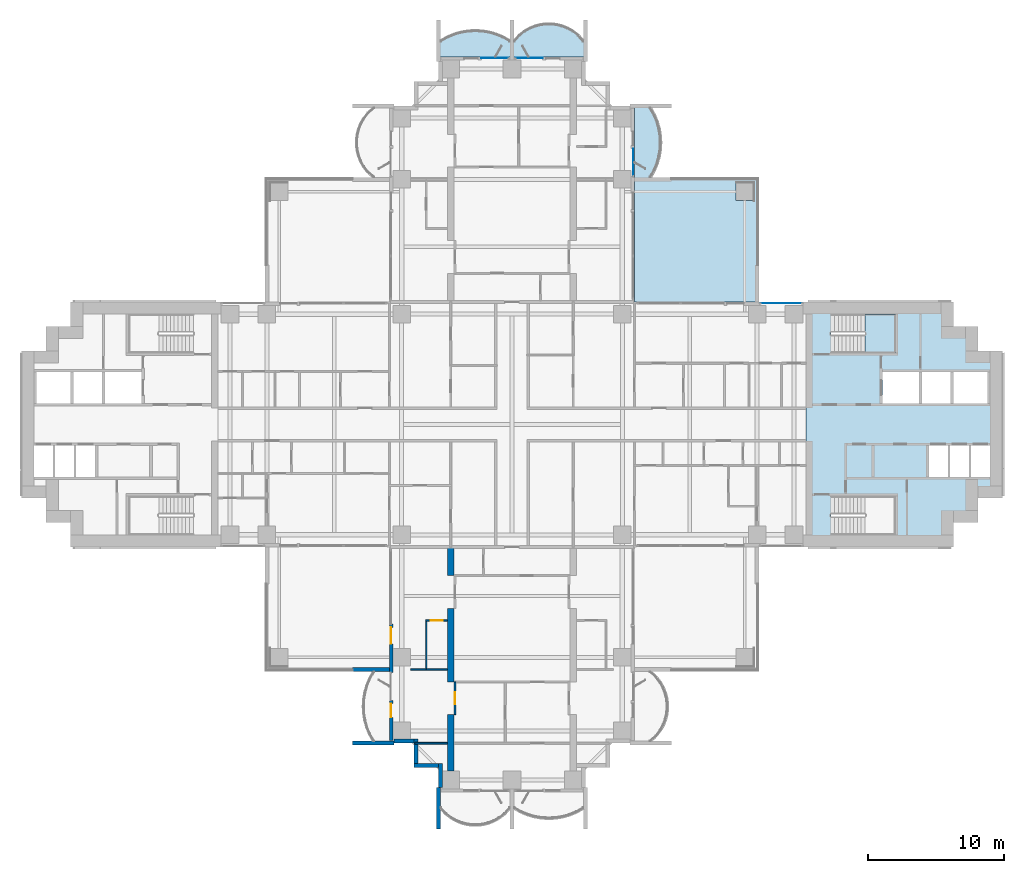
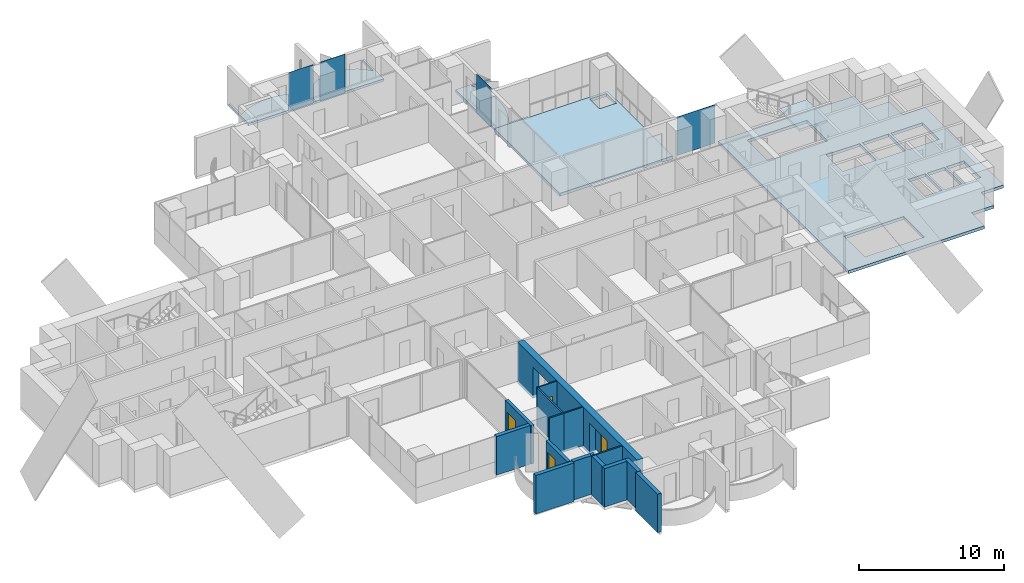
# One storey, part 10 of 23: 16 walls, 6 slabs, 4 doors, 4 plates, 4 openings, 5 elements without a shape of their own.
"""IFC4 building model written with IfcOpenShell, lengths in metres."""

import ifcopenshell
import ifcopenshell.guid

model = None  # the IFC model being written
_history = None  # IfcOwnerHistory: only IFC2X3 demands one
_inside = {}  # id of a spatial element -> (the spatial element, [elements in it])
_under = {}  # id of a project, library or spatial element -> (it, [spatial elements below it])
_declared = {}  # id of a project -> (the project, [libraries it declares])
_typed = {}  # id of a type object -> (the type object, [elements of that type])
_made_of = {}  # id of a material, layer set ... -> (it, [elements and type objects made of it])


def new_model(schema):
    """Start an empty IFC model of exactly this schema.

    Asked for "IFC4X3", IfcOpenShell would pick the latest addendum, in which some entities
    have other attributes; the version numbers below select the first issue.
    IFC2X3 requires an IfcOwnerHistory on every rooted entity: one is made here for all.
    """
    global model, _history
    if schema == "IFC4X3":
        model = ifcopenshell.file(schema_version=(4, 3, 0, 0))
    else:
        model = ifcopenshell.file(schema=schema)
    _inside.clear()
    _under.clear()
    _declared.clear()
    _typed.clear()
    _made_of.clear()
    _history = None
    if model.schema == "IFC2X3":
        org = make("IfcOrganization", Name="unknown")
        user = make(
            "IfcPersonAndOrganization",
            ThePerson=make("IfcPerson", FamilyName="unknown"),
            TheOrganization=org,
        )
        app = make(
            "IfcApplication",
            ApplicationDeveloper=org,
            Version="unknown",
            ApplicationFullName="unknown",
            ApplicationIdentifier="unknown",
        )
        _history = make(
            "IfcOwnerHistory",
            OwningUser=user,
            OwningApplication=app,
            ChangeAction="ADDED",
            CreationDate=0,
        )
    return model


def make(cls, **values):
    """One entity of the class cls with the attributes given. An attribute that is None is left unset."""
    return model.create_entity(
        cls, **{name: value for name, value in values.items() if value is not None}
    )


def rooted(cls, **values):
    """An entity with a GlobalId (a new one), such as an element, a storey or a relation."""
    return make(cls, GlobalId=ifcopenshell.guid.new(), OwnerHistory=_history, **values)


def si_unit(unit_type, name, prefix=None):
    """IfcSIUnit, for example si_unit("LENGTHUNIT", "METRE", prefix="MILLI")."""
    return make("IfcSIUnit", UnitType=unit_type, Prefix=prefix, Name=name)


def assignment(units):
    """IfcUnitAssignment: the units of a project."""
    return None if units is None else make("IfcUnitAssignment", Units=units)


def point(xyz):
    """IfcCartesianPoint."""
    return None if xyz is None else make("IfcCartesianPoint", Coordinates=xyz)


def direction(xyz):
    """IfcDirection."""
    return None if xyz is None else make("IfcDirection", DirectionRatios=xyz)


def frame(location, z_axis=None, x_axis=None):
    """IfcAxis2Placement3D, a coordinate frame: its origin and axes. An axis left out is left unset."""
    return make(
        "IfcAxis2Placement3D",
        Location=point(location),
        Axis=direction(z_axis),
        RefDirection=direction(x_axis),
    )


def frame_2d(location, x_axis=None):
    """IfcAxis2Placement2D, a coordinate frame in the plane: its origin and x axis."""
    return make(
        "IfcAxis2Placement2D", Location=point(location), RefDirection=direction(x_axis)
    )


def origin():
    """The frame at (0, 0, 0) with its axes left unset."""
    return frame((0.0, 0.0, 0.0))


def origin_2d():
    """The frame at (0, 0) in the plane with its x axis left unset."""
    return frame_2d((0.0, 0.0))


def place(relative_to, where):
    """IfcLocalPlacement: puts the frame where relative to a parent placement (None: the world)."""
    return make(
        "IfcLocalPlacement", PlacementRelTo=relative_to, RelativePlacement=where
    )


def context(
    kind, dimensions, precision=None, world=None, true_north=None, identifier=None
):
    """IfcGeometricRepresentationContext, for example the 3D "Model" context."""
    return make(
        "IfcGeometricRepresentationContext",
        ContextIdentifier=identifier,
        ContextType=kind,
        CoordinateSpaceDimension=dimensions,
        Precision=precision,
        WorldCoordinateSystem=world,
        TrueNorth=true_north,
    )


def subcontext(parent, identifier, kind, view, scale=None):
    """IfcGeometricRepresentationSubContext, for example "Body" below "Model"."""
    return make(
        "IfcGeometricRepresentationSubContext",
        ContextIdentifier=identifier,
        ContextType=kind,
        ParentContext=parent,
        TargetScale=scale,
        TargetView=view,
    )


def project(units=None, contexts=None):
    """IfcProject with its units and contexts."""
    return rooted(
        "IfcProject",
        Name="project",
        RepresentationContexts=contexts,
        UnitsInContext=assignment(units),
    )


def spatial(cls, under=None, at=None, **own):
    """A site, building, storey or space (cls), placed at a placement, below another one or the project."""
    s = rooted(cls, ObjectPlacement=at, **own)
    if under is not None:
        _under.setdefault(under.id(), (under, []))[1].append(s)
    return s


def polyline(points):
    """IfcPolyline through the points."""
    return make("IfcPolyline", Points=[point(p) for p in points])


def profile(cls, at=None, kind="AREA", **sizes):
    """A parametric profile (cls). Its sizes go by their IFC names, for example OverallWidth=200.0."""
    return make(cls, ProfileType=kind, Position=at, **sizes)


def rectangle(**sizes):
    """IfcRectangleProfileDef."""
    return profile("IfcRectangleProfileDef", **sizes)


def outline(outer, holes=None, kind="AREA"):
    """IfcArbitraryClosedProfileDef: a profile drawn as a closed curve; with holes, ...WithVoids."""
    if holes is None:
        return make("IfcArbitraryClosedProfileDef", ProfileType=kind, OuterCurve=outer)
    return make(
        "IfcArbitraryProfileDefWithVoids",
        ProfileType=kind,
        OuterCurve=outer,
        InnerCurves=holes,
    )


def extrude(swept, where, along, depth):
    """IfcExtrudedAreaSolid: the profile swept, set in the frame where, extruded along a direction by depth."""
    return make(
        "IfcExtrudedAreaSolid",
        SweptArea=swept,
        Position=where,
        ExtrudedDirection=direction(along),
        Depth=depth,
    )


def shape(context_of_items, identifier, shape_type, items):
    """IfcShapeRepresentation: the items that make up one representation, for example the "Body"."""
    return make(
        "IfcShapeRepresentation",
        ContextOfItems=context_of_items,
        RepresentationIdentifier=identifier,
        RepresentationType=shape_type,
        Items=items,
    )


def material(Name=None, Category=None):
    """IfcMaterial."""
    return make("IfcMaterial", Name=Name, Category=Category)


def layer(
    of_material, thickness, ventilated=None, Name=None, Category=None, Priority=None
):
    """IfcMaterialLayer: one layer of a wall or slab, of a material (None: an air gap)."""
    return make(
        "IfcMaterialLayer",
        Material=of_material,
        LayerThickness=thickness,
        IsVentilated=ventilated,
        Name=Name,
        Category=Category,
        Priority=Priority,
    )


def layer_set(layers, Name=None):
    """IfcMaterialLayerSet."""
    return make("IfcMaterialLayerSet", MaterialLayers=layers, LayerSetName=Name)


def material_profile(
    of_material, cross_section, Name=None, Category=None, Priority=None
):
    """IfcMaterialProfile: a cross section and its material."""
    return make(
        "IfcMaterialProfile",
        Name=Name,
        Material=of_material,
        Profile=cross_section,
        Priority=Priority,
        Category=Category,
    )


def profile_set(profiles, Name=None, composite=None):
    """IfcMaterialProfileSet."""
    return make(
        "IfcMaterialProfileSet",
        Name=Name,
        MaterialProfiles=profiles,
        CompositeProfile=composite,
    )


def made_of(thing, what):
    """Note that an element or type object is made of a material, layer set ...; save() writes the relation."""
    if what is not None:
        _made_of.setdefault(what.id(), (what, []))[1].append(thing)
    return thing


def type_object(cls, material=None, **own):
    """A type object (cls), such as IfcWallType, which elements share."""
    return made_of(rooted(cls, **own), material)


def element(
    cls,
    number,
    at=None,
    inside=None,
    cuts=None,
    type_object=None,
    material=None,
    context=None,
    identifier="Body",
    shape_type=None,
    held_by="IfcProductDefinitionShape",
    body=None,
    shapes=None,
    **own,
):
    """One element of the class cls, such as IfcWall. Its Tag is "e" and its number.

    at: its placement. inside: the storey or other place that contains it. cuts: it is an
    opening in that element (IfcRelVoidsElement). A single representation is given by context,
    identifier, shape_type and body (its items); several are given by shapes. held_by: the class
    of the entity that holds the representations. save() writes the other relations.
    """
    e = rooted(cls, Tag="e%d" % number, ObjectPlacement=at, **own)
    if body is not None:
        shapes = [shape(context, identifier, shape_type, body)]
    if shapes is not None:
        e.Representation = make(held_by, Representations=shapes)
    if inside is not None:
        _inside.setdefault(inside.id(), (inside, []))[1].append(e)
    if cuts is not None:
        rooted(
            "IfcRelVoidsElement", RelatingBuildingElement=cuts, RelatedOpeningElement=e
        )
    if type_object is not None:
        _typed.setdefault(type_object.id(), (type_object, []))[1].append(e)
    return made_of(e, material)


def fill(opening, filler):
    """IfcRelFillsElement: the door or window that sits in an opening."""
    return rooted(
        "IfcRelFillsElement",
        RelatingOpeningElement=opening,
        RelatedBuildingElement=filler,
    )


def aggregate(whole, parts):
    """IfcRelAggregates: a whole, such as a stair, and the parts it consists of."""
    return rooted("IfcRelAggregates", RelatingObject=whole, RelatedObjects=parts)


def save(model, path):
    """Write the relations noted so far, then the file.

    IfcRelAggregates (storeys below a building ...), IfcRelContainedInSpatialStructure (elements
    in a storey), IfcRelDefinesByType, IfcRelAssociatesMaterial and IfcRelDeclares: one each for
    every whole, place, type object, material and project.
    """
    for whole, parts in _under.values():
        aggregate(whole, parts)
    for where, things in _inside.values():
        rooted(
            "IfcRelContainedInSpatialStructure",
            RelatedElements=things,
            RelatingStructure=where,
        )
    for kind, things in _typed.values():
        rooted("IfcRelDefinesByType", RelatedObjects=things, RelatingType=kind)
    for what, things in _made_of.values():
        rooted("IfcRelAssociatesMaterial", RelatedObjects=things, RelatingMaterial=what)
    for by, libraries in _declared.values():
        rooted("IfcRelDeclares", RelatingContext=by, RelatedDefinitions=libraries)
    model.write(path)


model = new_model("IFC4")

# Units and contexts
model_context = context("Model", 3, precision=1e-05, world=origin(), true_north=direction((0.0, 1.0)))
body_context = subcontext(model_context, "Body", "Model", "MODEL_VIEW")
ifc_project = project(units=[si_unit("LENGTHUNIT", "METRE"), si_unit("AREAUNIT", "SQUARE_METRE"), si_unit("VOLUMEUNIT", "CUBIC_METRE"), si_unit("PLANEANGLEUNIT", "RADIAN"), si_unit("MASSUNIT", "GRAM", prefix="KILO")], contexts=[model_context])

# Site, building, storey
site_placement = place(None, origin())
site = spatial("IfcSite", under=ifc_project, at=site_placement, CompositionType="ELEMENT")
building_placement = place(site_placement, origin())
building = spatial("IfcBuilding", under=site, at=building_placement, Name="Perihelion Cross Residences", CompositionType="ELEMENT")
storey_placement = place(building_placement, frame((0.0, 0.0, 61.0)))
storey = spatial("IfcBuildingStorey", under=building, at=storey_placement, Name="L12", CompositionType="ELEMENT", Elevation=61.0)

# Slabs
ifc_material_1 = material(Name="Concrete C40/50", Category="concrete")
ifc_layer_1 = layer(ifc_material_1, 0.199951171875)
ifc_layer_set_1 = layer_set([ifc_layer_1], Name="Balcony slab 200")
slab_type_1 = type_object("IfcSlabType", Name="Balcony slab 200", PredefinedType="FLOOR", material=ifc_layer_set_1)
slab_1_placement = place(storey_placement, frame((0.0, 0.0, -0.199951171875)))
element("IfcSlab", 1, at=slab_1_placement, inside=storey, type_object=slab_type_1, Name="Slab BK1 L12 north side east bay 2 balcony", PredefinedType="FLOOR", context=body_context, shape_type="SweptSolid", body=[
    extrude(outline(polyline([(9.0, 18.0), (9.0, 23.39990234375), (11.699951171875, 23.39990234375), (11.699951171875, 23.25), (10.199951171875, 23.25), (10.4853515625, 22.739990234375), (10.694580078125, 22.22998046875), (10.838134765625, 21.719970703125), (10.92236328125, 21.2099609375), (10.949951171875, 20.699951171875), (10.92236328125, 20.18994140625), (10.838134765625, 19.679931640625), (10.694580078125, 19.169921875), (10.4853515625, 18.659912109375), (10.199951171875, 18.14990234375), (11.699951171875, 18.14990234375), (11.699951171875, 18.0), (9.0, 18.0)])), origin(), (0.0, 0.0, 1.0), 0.199951171875),
])
slab_2_placement = place(storey_placement, frame((0.0, 0.0, -0.199951171875)))
element("IfcSlab", 2, at=slab_2_placement, inside=storey, type_object=slab_type_1, Name="Slab BK1 L12 north tip north bay 1 balcony", PredefinedType="FLOOR", context=body_context, shape_type="SweptSolid", body=[
    extrude(outline(polyline([(5.39990234375, 27.0), (0.0, 27.0), (0.0, 29.699951171875), (0.14990234375, 29.699951171875), (0.14990234375, 28.199951171875), (0.542236328125, 28.622314453125), (0.9345703125, 28.924072265625), (1.326904296875, 29.143310546875), (1.71923828125, 29.29736328125), (2.111572265625, 29.39599609375), (2.50390625, 29.444091796875), (2.896240234375, 29.444091796875), (3.28857421875, 29.39599609375), (3.6806640625, 29.29736328125), (4.072998046875, 29.143310546875), (4.46533203125, 28.924072265625), (4.857666015625, 28.622314453125), (5.25, 28.199951171875), (5.25, 29.699951171875), (5.39990234375, 29.699951171875), (5.39990234375, 27.0)])), origin(), (0.0, 0.0, 1.0), 0.199951171875),
])
slab_3_placement = place(storey_placement, frame((0.0, 0.0, -0.199951171875)))
element("IfcSlab", 3, at=slab_3_placement, inside=storey, type_object=slab_type_1, Name="Slab BK1 L12 north tip north bay 2 balcony", PredefinedType="FLOOR", context=body_context, shape_type="SweptSolid", body=[
    extrude(outline(polyline([(0.0, 27.0), (-5.39990234375, 27.0), (-5.39990234375, 29.699951171875), (-5.25, 29.699951171875), (-5.25, 28.199951171875), (-4.739990234375, 28.4853515625), (-4.22998046875, 28.694580078125), (-3.719970703125, 28.838134765625), (-3.2099609375, 28.92236328125), (-2.699951171875, 28.949951171875), (-2.18994140625, 28.92236328125), (-1.679931640625, 28.838134765625), (-1.169921875, 28.694580078125), (-0.659912109375, 28.4853515625), (-0.14990234375, 28.199951171875), (-0.14990234375, 29.699951171875), (0.0, 29.699951171875), (0.0, 27.0)])), origin(), (0.0, 0.0, 1.0), 0.199951171875),
])

# Curtain wall, plate
ifc_material_2 = material(Name="Bronze anodised aluminium, tinted glazing", Category="aluminium")
curtain_wall_type = type_object("IfcCurtainWallType", Name="CW1", PredefinedType="NOTDEFINED", material=ifc_material_2)
curtain_wall_1_placement = place(storey_placement, origin())
curtain_wall_1 = element("IfcCurtainWall", 4, at=curtain_wall_1_placement, inside=storey, type_object=curtain_wall_type, Name="Curtain wall CW1 L12 east side north bay 1", PredefinedType="NOTDEFINED")
ifc_material_3 = material(Name="Tinted laminated glass", Category="glass")
ifc_layer_2 = layer(ifc_material_3, 0.028076171875)
ifc_layer_set_2 = layer_set([ifc_layer_2], Name="CW1 panel")
plate_type = type_object("IfcPlateType", Name="CW1 panel", PredefinedType="CURTAIN_PANEL", material=ifc_layer_set_2)
plate_1_placement = place(storey_placement, frame((19.77490234375, 8.89990234375, 0.0), z_axis=(0.0, 0.0, 1.0), x_axis=(-1.0, 0.0, 0.0)))
plate_1 = element("IfcPlate", 5, at=plate_1_placement, type_object=plate_type, Name="CW1 panel 1", PredefinedType="CURTAIN_PANEL", context=body_context, shape_type="SweptSolid", body=[
    extrude(rectangle(XDim=3.030029296875, YDim=0.028076171875, at=origin_2d()), origin(), (0.0, 0.0, 1.0), 3.25),
])
aggregate(curtain_wall_1, [plate_1])

curtain_wall_2_placement = place(storey_placement, origin())
curtain_wall_2 = element("IfcCurtainWall", 6, at=curtain_wall_2_placement, inside=storey, type_object=curtain_wall_type, Name="Curtain wall CW1 L12 north side east bay 2", PredefinedType="NOTDEFINED")
plate_2_placement = place(storey_placement, frame((8.89990234375, 19.2548828125, 0.0), z_axis=(0.0, 0.0, 1.0), x_axis=(0.0, 1.0, 0.0)))
plate_2 = element("IfcPlate", 7, at=plate_2_placement, type_object=plate_type, Name="CW1 panel 1", PredefinedType="CURTAIN_PANEL", context=body_context, shape_type="SweptSolid", body=[
    extrude(rectangle(XDim=1.989990234375, YDim=0.028076171875, at=origin_2d()), origin(), (0.0, 0.0, 1.0), 3.25),
])
aggregate(curtain_wall_2, [plate_2])

curtain_wall_3_placement = place(storey_placement, origin())
curtain_wall_3 = element("IfcCurtainWall", 8, at=curtain_wall_3_placement, inside=storey, type_object=curtain_wall_type, Name="Curtain wall CW1 L12 north tip north bay 1", PredefinedType="NOTDEFINED")
plate_3_placement = place(storey_placement, frame((1.2548828125, 26.89990234375, 0.0), z_axis=(0.0, 0.0, 1.0), x_axis=(-1.0, 0.0, 0.0)))
plate_3 = element("IfcPlate", 9, at=plate_3_placement, type_object=plate_type, Name="CW1 panel 1", PredefinedType="CURTAIN_PANEL", context=body_context, shape_type="SweptSolid", body=[
    extrude(rectangle(XDim=1.989990234375, YDim=0.028076171875, at=origin_2d()), origin(), (0.0, 0.0, 1.0), 3.25),
])
aggregate(curtain_wall_3, [plate_3])

curtain_wall_4_placement = place(storey_placement, origin())
curtain_wall_4 = element("IfcCurtainWall", 10, at=curtain_wall_4_placement, inside=storey, type_object=curtain_wall_type, Name="Curtain wall CW1 L12 north tip north bay 2", PredefinedType="NOTDEFINED")
plate_4_placement = place(storey_placement, frame((-1.2548828125, 26.89990234375, 0.0), z_axis=(0.0, 0.0, 1.0), x_axis=(-1.0, 0.0, 0.0)))
plate_4 = element("IfcPlate", 11, at=plate_4_placement, type_object=plate_type, Name="CW1 panel 1", PredefinedType="CURTAIN_PANEL", context=body_context, shape_type="SweptSolid", body=[
    extrude(rectangle(XDim=1.989990234375, YDim=0.028076171875, at=origin_2d()), origin(), (0.0, 0.0, 1.0), 3.25),
])
aggregate(curtain_wall_4, [plate_4])

# Slabs
ifc_material_4 = material(Name="Concrete C40/50", Category="concrete")
ifc_layer_3 = layer(ifc_material_4, 0.25)
ifc_layer_set_3 = layer_set([ifc_layer_3], Name="Core floor slab 250")
slab_type_2 = type_object("IfcSlabType", Name="Core floor slab 250", PredefinedType="FLOOR", material=ifc_layer_set_3)
slab_4_placement = place(storey_placement, frame((0.0, 0.0, -0.25)))
element("IfcSlab", 12, at=slab_4_placement, inside=storey, type_object=slab_type_2, Name="East core floor slab", PredefinedType="FLOOR", context=body_context, shape_type="SweptSolid", body=[
    extrude(outline(polyline([(32.39990234375, 7.199951171875), (34.199951171875, 7.199951171875), (34.199951171875, 5.39990234375), (36.0, 5.39990234375), (36.0, -5.39990234375), (34.199951171875, -5.39990234375), (34.199951171875, -7.199951171875), (32.39990234375, -7.199951171875), (32.39990234375, -9.0), (21.60009765625, -9.0), (21.60009765625, 9.0), (32.39990234375, 9.0), (32.39990234375, 7.199951171875)]), holes=[polyline([(23.405029296875, -8.10009765625), (28.14990234375, -8.10009765625), (28.14990234375, -5.25), (23.405029296875, -5.25), (23.405029296875, -8.10009765625)]), polyline([(30.60009765625, -1.550048828125), (30.60009765625, -3.85009765625), (32.0, -3.85009765625), (32.0, -1.550048828125), (30.60009765625, -1.550048828125)]), polyline([(32.14990234375, -1.550048828125), (32.14990234375, -3.85009765625), (33.550048828125, -3.85009765625), (33.550048828125, -1.550048828125), (32.14990234375, -1.550048828125)]), polyline([(33.699951171875, -1.550048828125), (33.699951171875, -3.85009765625), (35.10009765625, -3.85009765625), (35.10009765625, -1.550048828125), (33.699951171875, -1.550048828125)]), polyline([(27.199951171875, 3.85009765625), (27.199951171875, 1.550048828125), (29.89990234375, 1.550048828125), (29.89990234375, 3.85009765625), (27.199951171875, 3.85009765625)]), polyline([(30.10009765625, 3.85009765625), (30.10009765625, 1.550048828125), (32.199951171875, 1.550048828125), (32.199951171875, 3.85009765625), (30.10009765625, 3.85009765625)]), polyline([(32.39990234375, 3.85009765625), (32.39990234375, 1.550048828125), (34.89990234375, 1.550048828125), (34.89990234375, 3.85009765625), (32.39990234375, 3.85009765625)]), polyline([(23.405029296875, 5.25), (28.14990234375, 5.25), (28.14990234375, 8.10009765625), (23.405029296875, 8.10009765625), (23.405029296875, 5.25)])]), origin(), (0.0, 0.0, 1.0), 0.25),
])
ifc_material_5 = material(Name="Concrete C40/50", Category="concrete")
ifc_layer_4 = layer(ifc_material_5, 0.25)
ifc_layer_set_4 = layer_set([ifc_layer_4], Name="Corner terrace slab")
slab_type_3 = type_object("IfcSlabType", Name="Corner terrace slab", PredefinedType="FLOOR", material=ifc_layer_set_4)
slab_5_placement = place(storey_placement, frame((0.0, 0.0, -0.25)))
element("IfcSlab", 13, at=slab_5_placement, inside=storey, type_object=slab_type_3, Name="Slab BK2 L12 pocket north-east", PredefinedType="FLOOR", context=body_context, shape_type="SweptSolid", body=[
    extrude(outline(polyline([(18.0, 9.0), (18.0, 18.0), (9.0, 18.0), (9.0, 9.0), (18.0, 9.0)]), holes=[polyline([(16.449951171875, 16.449951171875), (16.449951171875, 17.7900390625), (17.7900390625, 17.7900390625), (17.7900390625, 16.409912109375), (17.75, 16.409912109375), (17.75, 16.449951171875), (16.449951171875, 16.449951171875)])]), origin(), (0.0, 0.0, 1.0), 0.25),
])

# Stair, slab
ifc_material_6 = material(Name="Concrete C40/50", Category="concrete")
stair_type = type_object("IfcStairType", Name="Exit stair, half-turn", PredefinedType="HALF_TURN_STAIR", material=ifc_material_6)
stair_placement = place(storey_placement, origin())
stair = element("IfcStair", 14, at=stair_placement, inside=storey, type_object=stair_type, Name="L12 East core exit stair 1", PredefinedType="HALF_TURN_STAIR")
ifc_material_7 = material(Name="Concrete C40/50", Category="concrete")
ifc_layer_5 = layer(ifc_material_7, 0.199951171875)
ifc_layer_set_5 = layer_set([ifc_layer_5], Name="Exit stair landing 200")
slab_type_4 = type_object("IfcSlabType", Name="Exit stair landing 200", PredefinedType="LANDING", material=ifc_layer_set_5)
slab_6_placement = place(storey_placement, frame((0.0, 0.0, 1.550048828125)))
slab_6 = element("IfcSlab", 15, at=slab_6_placement, type_object=slab_type_4, Name="ST-E1 landing 1", PredefinedType="LANDING", context=body_context, shape_type="SweptSolid", body=[
    extrude(outline(polyline([(25.919921875, 5.25), (28.14990234375, 5.25), (28.14990234375, 8.10009765625), (25.919921875, 8.10009765625), (25.919921875, 5.25)])), origin(), (0.0, 0.0, 1.0), 0.199951171875),
])
aggregate(stair, [slab_6])

# Wall, opening, door
ifc_material_8 = material(Name="Concrete C30/37, bronze-clad", Category="concrete")
ifc_layer_6 = layer(ifc_material_8, 0.25)
ifc_layer_set_6 = layer_set([ifc_layer_6], Name="Bronze-clad pier wall 250")
wall_type_1 = type_object("IfcWallType", Name="Bronze-clad pier wall 250", PredefinedType="SOLIDWALL", material=ifc_layer_set_6)
wall_1_placement = place(storey_placement, frame((-8.875, -14.64990234375, 0.0), z_axis=(0.0, 0.0, 1.0), x_axis=(0.0, -1.0, 0.0)))
wall_1 = element("IfcWall", 16, at=wall_1_placement, inside=storey, type_object=wall_type_1, Name="Wall FW1 L12 south side west bay 1 pier", PredefinedType="SOLIDWALL", context=body_context, shape_type="SweptSolid", body=[
    extrude(rectangle(XDim=3.550048828125, YDim=0.25, at=frame_2d((1.77490234375, 0.0))), origin(), (0.0, 0.0, 1.0), 3.25),
])
opening_1_placement = place(wall_1_placement, frame((0.25, 0.0, 0.0)))
opening_1 = element("IfcOpeningElement", 17, at=opening_1_placement, cuts=wall_1, Name="Opening L12.E10", PredefinedType="OPENING", context=body_context, shape_type="SweptSolid", body=[
    extrude(rectangle(XDim=1.199951171875, YDim=2.39990234375, at=frame_2d((0.60009765625, 1.199951171875))), frame((0.0, 0.135009765625, 0.0), z_axis=(0.0, -1.0, 0.0), x_axis=(1.0, 0.0, 0.0)), (0.0, 0.0, 1.0), 0.27001953125),
])
ifc_material_9 = material(Name="Bronze anodised aluminium, glazed", Category="aluminium")
door_type_1 = type_object("IfcDoorType", Name="Balcony door 1200 x 2400", OperationType="NOTDEFINED", PredefinedType="DOOR", material=ifc_material_9)
door_1_placement = place(opening_1_placement, origin())
door_1 = element("IfcDoor", 18, at=door_1_placement, inside=storey, type_object=door_type_1, Name="Door L12.E10 south side west bay 1", OperationType="SINGLE_SWING_LEFT", OverallHeight=2.39990234375, OverallWidth=1.199951171875, PredefinedType="DOOR", context=body_context, shape_type="SweptSolid", body=[
    extrude(rectangle(XDim=1.199951171875, YDim=2.39990234375, at=frame_2d((0.60009765625, 1.199951171875))), frame((0.0, 0.02490234375, 0.0), z_axis=(0.0, -1.0, 0.0), x_axis=(1.0, 0.0, 0.0)), (0.0, 0.0, 1.0), 0.050048828125),
])
fill(opening_1, door_1)

wall_2_placement = place(storey_placement, frame((-8.875, -20.25, 0.0), z_axis=(0.0, 0.0, 1.0), x_axis=(0.0, -1.0, 0.0)))
wall_2 = element("IfcWall", 19, at=wall_2_placement, inside=storey, type_object=wall_type_1, Name="Wall FW1 L12 south side west bay 2 pier", PredefinedType="SOLIDWALL", context=body_context, shape_type="SweptSolid", body=[
    extrude(rectangle(XDim=2.949951171875, YDim=0.25, at=frame_2d((1.47509765625, 0.0))), origin(), (0.0, 0.0, 1.0), 3.25),
])
opening_2_placement = place(wall_2_placement, frame((0.25, 0.0, 0.0)))
opening_2 = element("IfcOpeningElement", 20, at=opening_2_placement, cuts=wall_2, Name="Opening L12.E11", PredefinedType="OPENING", context=body_context, shape_type="SweptSolid", body=[
    extrude(rectangle(XDim=1.0, YDim=2.39990234375, at=frame_2d((0.5, 1.199951171875))), frame((0.0, 0.135009765625, 0.0), z_axis=(0.0, -1.0, 0.0), x_axis=(1.0, 0.0, 0.0)), (0.0, 0.0, 1.0), 0.27001953125),
])
ifc_material_10 = material(Name="Bronze anodised aluminium, glazed", Category="aluminium")
door_type_2 = type_object("IfcDoorType", Name="Balcony door 1000 x 2400", OperationType="NOTDEFINED", PredefinedType="DOOR", material=ifc_material_10)
door_2_placement = place(opening_2_placement, origin())
door_2 = element("IfcDoor", 21, at=door_2_placement, inside=storey, type_object=door_type_2, Name="Door L12.E11 south side west bay 2", OperationType="SINGLE_SWING_RIGHT", OverallHeight=2.39990234375, OverallWidth=1.0, PredefinedType="DOOR", context=body_context, shape_type="SweptSolid", body=[
    extrude(rectangle(XDim=1.0, YDim=2.39990234375, at=frame_2d((0.5, 1.199951171875))), frame((0.0, 0.02490234375, 0.0), z_axis=(0.0, -1.0, 0.0), x_axis=(1.0, 0.0, 0.0)), (0.0, 0.0, 1.0), 0.050048828125),
])
fill(opening_2, door_2)

# Walls
ifc_material_11 = material(Name="Concrete C30/37, bronze-clad", Category="concrete")
ifc_layer_7 = layer(ifc_material_11, 0.300048828125)
ifc_layer_set_7 = layer_set([ifc_layer_7], Name="Bronze-clad serration wall 300")
wall_type_2 = type_object("IfcWallType", Name="Bronze-clad serration wall 300", PredefinedType="SOLIDWALL", material=ifc_layer_set_7)
wall_3_placement = place(storey_placement, frame((-8.64990234375, -23.25, 0.0), z_axis=(0.0, 0.0, 1.0), x_axis=(1.0, 0.0, 0.0)))
element("IfcWall", 22, at=wall_3_placement, inside=storey, type_object=wall_type_2, Name="Wall SR1 L12 south corner south-west 1", PredefinedType="SOLIDWALL", context=body_context, shape_type="SweptSolid", body=[
    extrude(rectangle(XDim=1.449951171875, YDim=0.300048828125, at=frame_2d((0.72509765625, 0.0))), origin(), (0.0, 0.0, 1.0), 3.25),
])
wall_4_placement = place(storey_placement, frame((-7.050048828125, -23.10009765625, 0.0), z_axis=(0.0, 0.0, 1.0), x_axis=(0.0, -1.0, 0.0)))
element("IfcWall", 23, at=wall_4_placement, inside=storey, type_object=wall_type_2, Name="Wall SR1 L12 south corner south-west 2", PredefinedType="SOLIDWALL", context=body_context, shape_type="SweptSolid", body=[
    extrude(rectangle(XDim=1.7998046875, YDim=0.300048828125, at=frame_2d((0.89990234375, 0.0))), origin(), (0.0, 0.0, 1.0), 3.25),
])
wall_5_placement = place(storey_placement, frame((-7.199951171875, -25.050048828125, 0.0), z_axis=(0.0, 0.0, 1.0), x_axis=(1.0, 0.0, 0.0)))
element("IfcWall", 24, at=wall_5_placement, inside=storey, type_object=wall_type_2, Name="Wall SR1 L12 south corner south-west 3", PredefinedType="SOLIDWALL", context=body_context, shape_type="SweptSolid", body=[
    extrude(rectangle(XDim=1.800048828125, YDim=0.300048828125, at=frame_2d((0.89990234375, 0.0))), origin(), (0.0, 0.0, 1.0), 3.25),
])
wall_6_placement = place(storey_placement, frame((-5.25, -24.89990234375, 0.0), z_axis=(0.0, 0.0, 1.0), x_axis=(0.0, -1.0, 0.0)))
element("IfcWall", 25, at=wall_6_placement, inside=storey, type_object=wall_type_2, Name="Wall SR1 L12 south corner south-west 4", PredefinedType="SOLIDWALL", context=body_context, shape_type="SweptSolid", body=[
    extrude(rectangle(XDim=1.75, YDim=0.300048828125, at=frame_2d((0.875, 0.0))), origin(), (0.0, 0.0, 1.0), 3.25),
])

# Wall, opening, door
ifc_material_12 = material(Name="Plasterboard partition")
ifc_layer_8 = layer(ifc_material_12, 0.1201171875)
ifc_layer_set_8 = layer_set([ifc_layer_8], Name="Infill panel 120")
wall_type_3 = type_object("IfcWallType", Name="Infill panel 120", PredefinedType="PARTITIONING", material=ifc_layer_set_8)
wall_7_placement = place(storey_placement, frame((-4.18994140625, -18.89990234375, 0.0), z_axis=(0.0, 0.0, 1.0), x_axis=(0.0, -1.0, 0.0)))
wall_7 = element("IfcWall", 26, at=wall_7_placement, inside=storey, type_object=wall_type_3, Name="Partition L12 WI08", PredefinedType="PARTITIONING", context=body_context, shape_type="SweptSolid", body=[
    extrude(rectangle(XDim=2.400146484375, YDim=0.1201171875, at=frame_2d((1.2001953125, 0.0))), origin(), (0.0, 0.0, 1.0), 2.39990234375),
])
opening_3_placement = place(wall_7_placement, frame((0.75, 0.0, 0.0)))
opening_3 = element("IfcOpeningElement", 27, at=opening_3_placement, cuts=wall_7, Name="Opening L12.A64", PredefinedType="OPENING", context=body_context, shape_type="SweptSolid", body=[
    extrude(rectangle(XDim=0.89990234375, YDim=2.10009765625, at=frame_2d((0.449951171875, 1.050048828125))), frame((0.0, 0.070068359375, 0.0), z_axis=(0.0, -1.0, 0.0), x_axis=(1.0, 0.0, 0.0)), (0.0, 0.0, 1.0), 0.14013671875),
])
ifc_material_13 = material(Name="Timber door leaf", Category="wood")
door_type_3 = type_object("IfcDoorType", Name="Interior room door 900 x 2100", OperationType="SINGLE_SWING_LEFT", PredefinedType="DOOR", material=ifc_material_13)
door_3_placement = place(opening_3_placement, origin())
door_3 = element("IfcDoor", 28, at=door_3_placement, inside=storey, type_object=door_type_3, Name="Door L12.A64", OperationType="SINGLE_SWING_RIGHT", OverallHeight=2.10009765625, OverallWidth=0.89990234375, PredefinedType="DOOR", context=body_context, shape_type="SweptSolid", body=[
    extrude(rectangle(XDim=0.89990234375, YDim=2.10009765625, at=frame_2d((0.449951171875, 1.050048828125))), frame((0.0, 0.02490234375, 0.0), z_axis=(0.0, -1.0, 0.0), x_axis=(1.0, 0.0, 0.0)), (0.0, 0.0, 1.0), 0.050048828125),
])
fill(opening_3, door_3)

# Walls
ifc_material_14 = material(Name="Plasterboard partition")
ifc_layer_9 = layer(ifc_material_14, 0.1201171875)
ifc_layer_set_9 = layer_set([ifc_layer_9], Name="Partition wall 120")
wall_type_4 = type_object("IfcWallType", Name="Partition wall 120", PredefinedType="PARTITIONING", material=ifc_layer_set_9)
wall_8_placement = place(storey_placement, frame((-6.300048828125, -18.0, 0.0), z_axis=(0.0, 0.0, 1.0), x_axis=(-1.0, 0.0, 0.0)))
element("IfcWall", 29, at=wall_8_placement, inside=storey, type_object=wall_type_4, Name="Partition L12 W091", PredefinedType="PARTITIONING", context=body_context, shape_type="SweptSolid", body=[
    extrude(rectangle(XDim=1.14990234375, YDim=0.1201171875, at=frame_2d((0.574951171875, 0.0))), origin(), (0.0, 0.0, 1.0), 3.25),
])
wall_9_placement = place(storey_placement, frame((-4.75, -23.39990234375, 0.0), z_axis=(0.0, 0.0, 1.0), x_axis=(-1.0, 0.0, 0.0)))
element("IfcWall", 30, at=wall_9_placement, inside=storey, type_object=wall_type_4, Name="Partition L12 W093", PredefinedType="PARTITIONING", context=body_context, shape_type="SweptSolid", body=[
    extrude(rectangle(XDim=2.3701171875, YDim=0.1201171875, at=frame_2d((1.18505859375, 0.0))), origin(), (0.0, 0.0, 1.0), 3.25),
])
ifc_material_15 = material(Name="Precast concrete C50/60", Category="concrete")
ifc_layer_10 = layer(ifc_material_15, 0.300048828125)
ifc_layer_set_10 = layer_set([ifc_layer_10], Name="Precast concrete C50/60 blade wall 300")
wall_type_5 = type_object("IfcWallType", Name="Precast concrete C50/60 blade wall 300", PredefinedType="SOLIDWALL", material=ifc_layer_set_10)
wall_10_placement = place(storey_placement, frame((-8.64990234375, -23.39990234375, 0.0), z_axis=(0.0, 0.0, 1.0), x_axis=(-1.0, 0.0, 0.0)))
element("IfcWall", 31, at=wall_10_placement, inside=storey, type_object=wall_type_5, Name="Wall BL1 L12 no. 6", PredefinedType="SOLIDWALL", context=body_context, shape_type="SweptSolid", body=[
    extrude(rectangle(XDim=3.050048828125, YDim=0.300048828125, at=frame_2d((1.52490234375, 0.0))), origin(), (0.0, 0.0, 1.0), 3.25),
])
wall_11_placement = place(storey_placement, frame((-9.0, -18.0, 0.0), z_axis=(0.0, 0.0, 1.0), x_axis=(-1.0, 0.0, 0.0)))
element("IfcWall", 32, at=wall_11_placement, inside=storey, type_object=wall_type_5, Name="Wall BL1 L12 no. 5", PredefinedType="SOLIDWALL", context=body_context, shape_type="SweptSolid", body=[
    extrude(rectangle(XDim=2.699951171875, YDim=0.300048828125, at=frame_2d((1.35009765625, 0.0))), origin(), (0.0, 0.0, 1.0), 3.25),
])
wall_12_placement = place(storey_placement, frame((-5.39990234375, -26.64990234375, 0.0), z_axis=(0.0, 0.0, 1.0), x_axis=(0.0, -1.0, 0.0)))
element("IfcWall", 33, at=wall_12_placement, inside=storey, type_object=wall_type_5, Name="Wall BL1 L12 no. 3", PredefinedType="SOLIDWALL", context=body_context, shape_type="SweptSolid", body=[
    extrude(rectangle(XDim=3.050048828125, YDim=0.300048828125, at=frame_2d((1.52490234375, 0.0))), origin(), (0.0, 0.0, 1.0), 3.25),
])
ifc_material_16 = material(Name="Concrete C60/75", Category="concrete")
ifc_material_profile = material_profile(ifc_material_16, outline(polyline([(0.0, 0.0), (4.14990234375, 0.0), (4.14990234375, 2.64990234375), (6.550048828125, 2.64990234375), (6.550048828125, 0.0), (11.949951171875, 0.0), (11.949951171875, 2.64990234375), (14.35009765625, 2.64990234375), (14.35009765625, 0.0), (16.449951171875, 0.0), (16.449951171875, 3.5), (0.0, 3.5), (0.0, 0.0)])), Name="Tip spine wall")
ifc_profile_set = profile_set([ifc_material_profile], Name="Concrete C60/75")
wall_type_6 = type_object("IfcWallType", Name="Tip spine wall 500 with 2 door openings 16450 long 3500 high concrete C60/75 hand A", PredefinedType="SHEAR", material=ifc_profile_set)
wall_13_placement = place(storey_placement, frame((-4.75, -25.449951171875, -0.25), z_axis=(1.0, 0.0, 0.0), x_axis=(0.0, 1.0, 0.0)))
element("IfcWall", 34, at=wall_13_placement, inside=storey, type_object=wall_type_6, Name="Shear wall SW24 L12 south west", PredefinedType="SHEAR", context=body_context, shape_type="SweptSolid", body=[
    extrude(outline(polyline([(0.0, 0.0), (4.14990234375, 0.0), (4.14990234375, 2.64990234375), (6.550048828125, 2.64990234375), (6.550048828125, 0.0), (11.949951171875, 0.0), (11.949951171875, 2.64990234375), (14.35009765625, 2.64990234375), (14.35009765625, 0.0), (16.449951171875, 0.0), (16.449951171875, 3.5), (0.0, 3.5), (0.0, 0.0)])), origin(), (0.0, 0.0, 1.0), 0.5),
])

# Wall, opening, door
ifc_material_17 = material(Name="Plasterboard partition")
ifc_layer_11 = layer(ifc_material_17, 0.10009765625)
ifc_layer_set_11 = layer_set([ifc_layer_11], Name="Wet room wall 100")
wall_type_7 = type_object("IfcWallType", Name="Wet room wall 100", PredefinedType="PARTITIONING", material=ifc_layer_set_11)
wall_14_placement = place(storey_placement, frame((-4.75, -14.39990234375, 0.0), z_axis=(0.0, 0.0, 1.0), x_axis=(-1.0, 0.0, 0.0)))
wall_14 = element("IfcWall", 35, at=wall_14_placement, inside=storey, type_object=wall_type_7, Name="Partition L12 W089", PredefinedType="PARTITIONING", context=body_context, shape_type="SweptSolid", body=[
    extrude(rectangle(XDim=1.60009765625, YDim=0.10009765625, at=frame_2d((0.800048828125, 0.0))), origin(), (0.0, 0.0, 1.0), 3.25),
])
opening_4_placement = place(wall_14_placement, frame((0.35009765625, 0.0, 0.0)))
opening_4 = element("IfcOpeningElement", 36, at=opening_4_placement, cuts=wall_14, Name="Opening L12.A52", PredefinedType="OPENING", context=body_context, shape_type="SweptSolid", body=[
    extrude(rectangle(XDim=0.85009765625, YDim=2.10009765625, at=frame_2d((0.425048828125, 1.050048828125))), frame((0.0, 0.06005859375, 0.0), z_axis=(0.0, -1.0, 0.0), x_axis=(1.0, 0.0, 0.0)), (0.0, 0.0, 1.0), 0.1201171875),
])
ifc_material_18 = material(Name="Timber door leaf", Category="wood")
door_type_4 = type_object("IfcDoorType", Name="Interior bathroom door 850 x 2100", OperationType="SINGLE_SWING_LEFT", PredefinedType="DOOR", material=ifc_material_18)
door_4_placement = place(opening_4_placement, origin())
door_4 = element("IfcDoor", 37, at=door_4_placement, inside=storey, type_object=door_type_4, Name="Door L12.A52", OperationType="SINGLE_SWING_RIGHT", OverallHeight=2.10009765625, OverallWidth=0.85009765625, PredefinedType="DOOR", context=body_context, shape_type="SweptSolid", body=[
    extrude(rectangle(XDim=0.85009765625, YDim=2.10009765625, at=frame_2d((0.425048828125, 1.050048828125))), frame((0.0, 0.02490234375, 0.0), z_axis=(0.0, -1.0, 0.0), x_axis=(1.0, 0.0, 0.0)), (0.0, 0.0, 1.0), 0.050048828125),
])
fill(opening_4, door_4)

# Walls
wall_15_placement = place(storey_placement, frame((-6.300048828125, -14.449951171875, 0.0), z_axis=(0.0, 0.0, 1.0), x_axis=(0.0, -1.0, 0.0)))
element("IfcWall", 38, at=wall_15_placement, inside=storey, type_object=wall_type_7, Name="Partition L12 W090", PredefinedType="PARTITIONING", context=body_context, shape_type="SweptSolid", body=[
    extrude(rectangle(XDim=3.489990234375, YDim=0.10009765625, at=frame_2d((1.7451171875, 0.0))), origin(), (0.0, 0.0, 1.0), 3.25),
])
wall_16_placement = place(storey_placement, frame((-4.75, -18.0, 0.0), z_axis=(0.0, 0.0, 1.0), x_axis=(-1.0, 0.0, 0.0)))
element("IfcWall", 39, at=wall_16_placement, inside=storey, type_object=wall_type_7, Name="Partition L12 W092", PredefinedType="PARTITIONING", context=body_context, shape_type="SweptSolid", body=[
    extrude(rectangle(XDim=1.550048828125, YDim=0.10009765625, at=frame_2d((0.77490234375, 0.0))), origin(), (0.0, 0.0, 1.0), 3.25),
])

save(model, "model.ifc")
